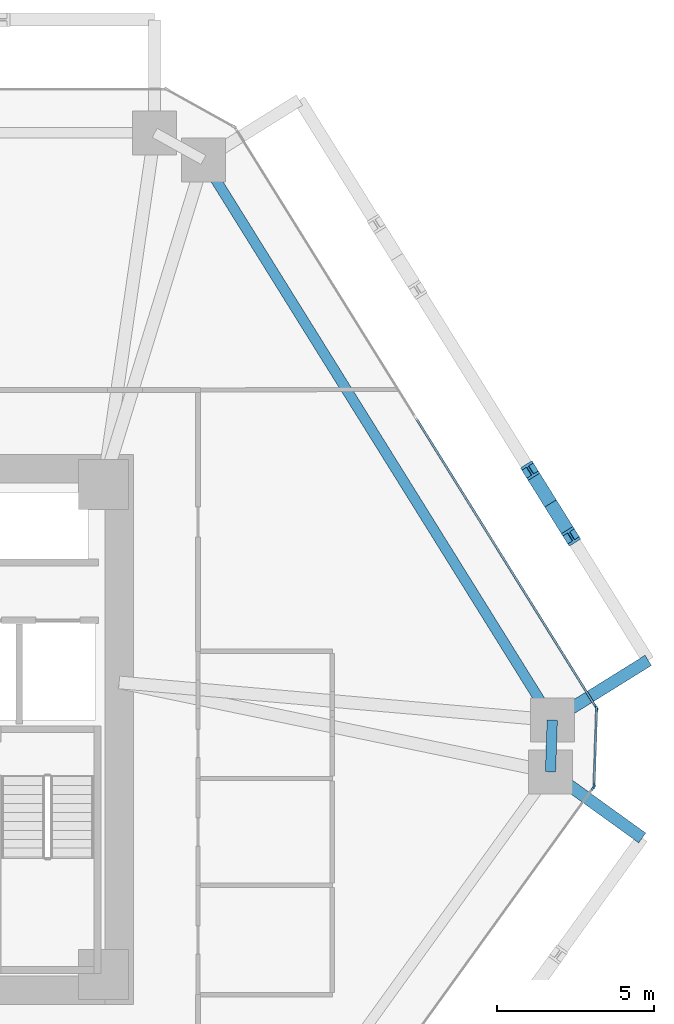
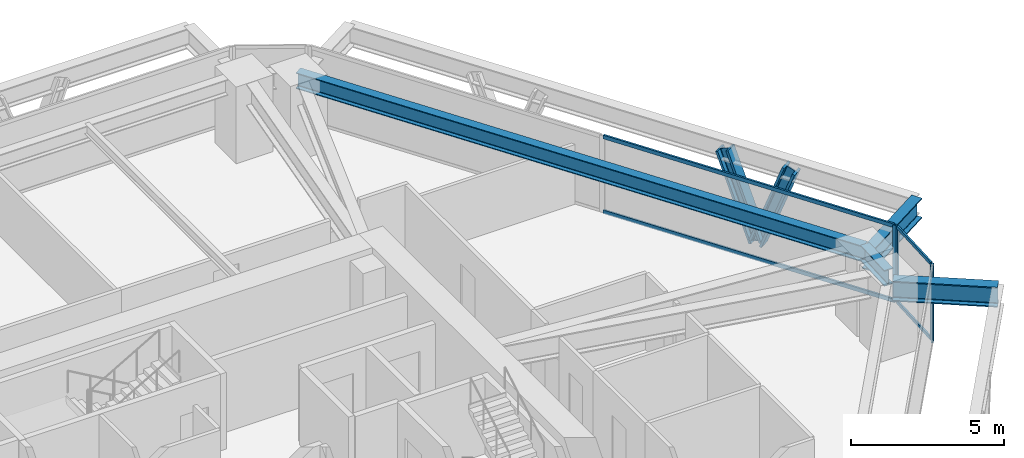
# One storey, part 6 of 14: 10 members, 4 beams, 3 elements without a shape of their own.
"""IFC4 building model written with IfcOpenShell, lengths in metres."""

from ifc_helpers import new_model, si_unit, direction, frame, origin, origin_2d, place, context, subcontext, project, spatial, rectangle, i_section, extrude, source, transform, mapped, material, layer, layer_set, material_profile, profile_set, type_object, type_shapes, element, aggregate, save


model = new_model("IFC4")

# Units and contexts
model_context = context("Model", 3, precision=1e-05, world=origin(), true_north=direction((0.0, 1.0)))
body_context = subcontext(model_context, "Body", "Model", "MODEL_VIEW")
ifc_project = project(units=[si_unit("LENGTHUNIT", "METRE"), si_unit("AREAUNIT", "SQUARE_METRE"), si_unit("VOLUMEUNIT", "CUBIC_METRE"), si_unit("PLANEANGLEUNIT", "RADIAN"), si_unit("MASSUNIT", "GRAM", prefix="KILO")], contexts=[model_context])

# Site, building, storey
site_placement = place(None, origin())
site = spatial("IfcSite", under=ifc_project, at=site_placement, CompositionType="ELEMENT")
building_placement = place(site_placement, origin())
building = spatial("IfcBuilding", under=site, at=building_placement, Name="Durnholm Broadcast Tower", CompositionType="ELEMENT")
storey_placement = place(building_placement, frame((0.0, 0.0, 48.89990234375)))
storey = spatial("IfcBuildingStorey", under=building, at=storey_placement, Name="L11", CompositionType="ELEMENT", Elevation=48.89990234375)

# Beams
ifc_material_1 = material(Name="Steel ASTM A992 Grade 50", Category="steel")
ifc_material_profile_1 = material_profile(ifc_material_1, i_section(OverallWidth=0.3291015625, OverallDepth=0.635009765625, WebThickness=0.017822265625, FlangeThickness=0.031005859375, FilletRadius=0.02783203125, at=origin_2d()), Name="W24X162")
ifc_profile_set_1 = profile_set([ifc_material_profile_1], Name="Steel ASTM A992 Grade 50")
beam_type_1 = type_object("IfcBeamType", Name="STL-SP-W24X162", PredefinedType="SPANDREL", material=ifc_profile_set_1)
shared_shape_1 = source(origin(), body_context, "Body", "SweptSolid", [
    extrude(i_section(OverallWidth=0.3291015625, OverallDepth=0.635009765625, WebThickness=0.017822265625, FlangeThickness=0.031005859375, FilletRadius=0.02783203125, at=origin_2d()), origin(), (0.0, 0.0, 1.0), 21.014404296875),
])
beam_1_placement = place(storey_placement, frame((12.982666015625, 18.138427734375, 2.7275390625), z_axis=(0.528595731543, -0.848873696491, 0.0), x_axis=(0.848873696491, 0.528595731543, 0.0)))
element("IfcBeam", 1, at=beam_1_placement, inside=storey, type_object=beam_type_1, Name="L11 perimeter spandrel girder 07", PredefinedType="SPANDREL", context=body_context, shape_type="MappedRepresentation", body=[
    mapped(shared_shape_1, transform((0.0, 0.0, 0.0), x_axis=(1.0, 0.0, 0.0), y_axis=(0.0, 1.0, 0.0), z_axis=(0.0, 0.0, 1.0), scale=1.0)),
])
shared_shape_2 = source(origin(), body_context, "Body", "SweptSolid", [
    extrude(i_section(OverallWidth=0.3291015625, OverallDepth=0.635009765625, WebThickness=0.017822265625, FlangeThickness=0.031005859375, FilletRadius=0.02783203125, at=origin_2d()), origin(), (0.0, 0.0, 1.0), 1.648193359375),
])
type_shapes(beam_type_1, [shared_shape_1, shared_shape_2])
beam_2_placement = place(storey_placement, frame((24.0908203125, 0.2998046875, 2.7275390625), z_axis=(-0.033921477804, -0.999424501072, 0.0), x_axis=(0.999424501072, -0.033921477804, 0.0)))
element("IfcBeam", 2, at=beam_2_placement, inside=storey, type_object=beam_type_1, Name="L11 perimeter spandrel girder 08", PredefinedType="SPANDREL", context=body_context, shape_type="MappedRepresentation", body=[
    mapped(shared_shape_2, transform((0.0, 0.0, 0.0), x_axis=(1.0, 0.0, 0.0), y_axis=(0.0, 1.0, 0.0), z_axis=(0.0, 0.0, 1.0), scale=1.0)),
])
ifc_material_profile_2 = material_profile(ifc_material_1, i_section(OverallWidth=0.385009765625, OverallDepth=0.802978515625, WebThickness=0.023681640625, FlangeThickness=0.0419921875, FilletRadius=0.032958984375, at=origin_2d()), Name="W30X261")
ifc_profile_set_2 = profile_set([ifc_material_profile_2], Name="Steel ASTM A992 Grade 50")
beam_type_2 = type_object("IfcBeamType", Name="BM-EXO-TIE", PredefinedType="USERDEFINED", material=ifc_profile_set_2)
shared_shape_3 = source(origin(), body_context, "Body", "SweptSolid", [
    extrude(i_section(OverallWidth=0.385009765625, OverallDepth=0.802978515625, WebThickness=0.023681640625, FlangeThickness=0.0419921875, FilletRadius=0.032958984375, at=origin_2d()), origin(), (0.0, 0.0, 1.0), 3.4560546875),
])
beam_3_placement = place(storey_placement, frame((24.212890625, 0.375732421875, 2.30859375), z_axis=(0.848874183218, 0.528594949906, 0.0), x_axis=(-0.528594949906, 0.848874183218, 0.0)))
element("IfcBeam", 3, at=beam_3_placement, inside=storey, type_object=beam_type_2, Name="L11 exoskeleton stand-off tie bracket F3.1", ObjectType="GIRDER", PredefinedType="USERDEFINED", context=body_context, shape_type="MappedRepresentation", body=[
    mapped(shared_shape_3, transform((0.0, 0.0, 0.0), x_axis=(1.0, 0.0, 0.0), y_axis=(0.0, 1.0, 0.0), z_axis=(0.0, 0.0, 1.0), scale=1.0)),
])
shared_shape_4 = source(origin(), body_context, "Body", "SweptSolid", [
    extrude(i_section(OverallWidth=0.385009765625, OverallDepth=0.802978515625, WebThickness=0.023681640625, FlangeThickness=0.0419921875, FilletRadius=0.032958984375, at=origin_2d()), origin(), (0.0, 0.0, 1.0), 3.455810546875),
])
type_shapes(beam_type_2, [shared_shape_3, shared_shape_4])
beam_4_placement = place(storey_placement, frame((24.15185546875, -1.431396484375, 2.30859375), z_axis=(0.811133512552, -0.584861030344, 0.0), x_axis=(0.584861030344, 0.811133512552, 0.0)))
element("IfcBeam", 4, at=beam_4_placement, inside=storey, type_object=beam_type_2, Name="L11 exoskeleton stand-off tie bracket F2.2", ObjectType="GIRDER", PredefinedType="USERDEFINED", context=body_context, shape_type="MappedRepresentation", body=[
    mapped(shared_shape_4, transform((0.0, 0.0, 0.0), x_axis=(1.0, 0.0, 0.0), y_axis=(0.0, 1.0, 0.0), z_axis=(0.0, 0.0, 1.0), scale=1.0)),
])

# Members
ifc_material_2 = material(Name="Steel ASTM A913 Grade 65", Category="steel")
ifc_material_profile_3 = material_profile(ifc_material_2, i_section(OverallWidth=0.43212890625, OverallDepth=0.497802734375, WebThickness=0.0556640625, FlangeThickness=0.0888671875, FilletRadius=0.030517578125, at=origin_2d()), Name="W14X500")
ifc_profile_set_3 = profile_set([ifc_material_profile_3], Name="Steel ASTM A913 Grade 65")
member_type_1 = type_object("IfcMemberType", Name="STL-DG-W14X500", PredefinedType="BRACE", material=ifc_profile_set_3)
shared_shape_5 = source(origin(), body_context, "Body", "SweptSolid", [
    extrude(i_section(OverallWidth=0.43212890625, OverallDepth=0.497802734375, WebThickness=0.0556640625, FlangeThickness=0.0888671875, FilletRadius=0.030517578125, at=origin_2d()), origin(), (0.0, 0.0, 1.0), 3.523193359375),
])
type_shapes(member_type_1, [shared_shape_5])
for number, where, z_axis, x_axis, name in (
    (5, (24.036376953125, 7.197509765625, -0.991455078125), (0.185157304084, -0.297277258428, 0.936665897941), (0.848819847179, 0.528682198523, 0.0), "L11 stand-off diagrid brace F3.D1.1"),
    (6, (24.036376953125, 7.197509765625, -0.991455078125), (-0.185090383068, 0.297281072018, 0.936677913861), (-0.848908635391, -0.528539618911, 0.0), "L11 stand-off diagrid brace F3.D1.2"),
):
    element("IfcMember", number, at=place(storey_placement, frame(where, z_axis=z_axis, x_axis=x_axis)), inside=storey, type_object=member_type_1, Name=name, PredefinedType="BRACE", context=body_context, shape_type="MappedRepresentation", body=[
        mapped(shared_shape_5, transform((0.0, 0.0, 0.0), x_axis=(1.0, 0.0, 0.0), y_axis=(0.0, 1.0, 0.0), z_axis=(0.0, 0.0, 1.0), scale=1.0)),
    ])

# Curtain wall, members
ifc_material_3 = material(Name="Aluminium and Solar Control IGU", Category="aluminium")
ifc_layer_1 = layer(ifc_material_3, 0.1650390625)
ifc_layer_set_1 = layer_set([ifc_layer_1], Name="Aluminium and Solar Control IGU")
curtain_wall_type_1 = type_object("IfcCurtainWallType", Name="CW-SYS-5", PredefinedType="NOTDEFINED", material=ifc_layer_set_1)
curtain_wall_1_placement = place(storey_placement, origin())
curtain_wall_1 = element("IfcCurtainWall", 7, at=curtain_wall_1_placement, inside=storey, type_object=curtain_wall_type_1, Name="L11 curtain wall CW-CORNER CW-L11-CRN-07", PredefinedType="NOTDEFINED")
ifc_material_4 = material(Name="Aluminium 6063-T6", Category="aluminium")
ifc_material_profile_4 = material_profile(ifc_material_4, rectangle(XDim=0.06494140625, YDim=0.1650390625, at=origin_2d()), Name="CWM65X165")
ifc_profile_set_4 = profile_set([ifc_material_profile_4], Name="Aluminium 6063-T6")
member_type_2 = type_object("IfcMemberType", Name="CW-SYS-5-MUL", PredefinedType="MULLION", material=ifc_profile_set_4)
shared_shape_6 = source(origin(), body_context, "Body", "SweptSolid", [
    extrude(rectangle(XDim=0.06494140625, YDim=0.1650390625, at=origin_2d()), origin(), (0.0, 0.0, 1.0), 3.06005859375),
])
type_shapes(member_type_2, [shared_shape_6])
member_1_placement = place(storey_placement, frame((25.50341796875, 0.6455078125, 0.0), z_axis=(0.0, 0.0, 1.0), x_axis=(0.999427277772, -0.033839569233, 0.0)))
member_1 = element("IfcMember", 8, at=member_1_placement, type_object=member_type_2, Name="CW-CORNER mullion 1", PredefinedType="MULLION", context=body_context, shape_type="MappedRepresentation", body=[
    mapped(shared_shape_6, transform((0.0, 0.0, 0.0), x_axis=(1.0, 0.0, 0.0), y_axis=(0.0, 1.0, 0.0), z_axis=(0.0, 0.0, 1.0), scale=1.0)),
])
member_2_placement = place(storey_placement, frame((25.4208984375, -1.7880859375, 0.0), z_axis=(0.0, 0.0, 1.0), x_axis=(0.999427277772, -0.033839569233, 0.0)))
member_2 = element("IfcMember", 9, at=member_2_placement, type_object=member_type_2, Name="CW-CORNER mullion 2", PredefinedType="MULLION", context=body_context, shape_type="MappedRepresentation", body=[
    mapped(shared_shape_6, transform((0.0, 0.0, 0.0), x_axis=(1.0, 0.0, 0.0), y_axis=(0.0, 1.0, 0.0), z_axis=(0.0, 0.0, 1.0), scale=1.0)),
])
ifc_material_profile_5 = material_profile(ifc_material_4, rectangle(XDim=0.06494140625, YDim=0.1298828125, at=origin_2d()), Name="CWT65X130")
ifc_profile_set_5 = profile_set([ifc_material_profile_5], Name="Aluminium 6063-T6")
member_type_3 = type_object("IfcMemberType", Name="CW-SYS-5-TRN", PredefinedType="USERDEFINED", material=ifc_profile_set_5)
shared_shape_7 = source(origin(), body_context, "Body", "SweptSolid", [
    extrude(rectangle(XDim=0.06494140625, YDim=0.1298828125, at=origin_2d()), origin(), (0.0, 0.0, 1.0), 2.3701171875),
])
type_shapes(member_type_3, [shared_shape_7])
member_3_placement = place(storey_placement, frame((25.502197265625, 0.613037109375, 0.03271484375), z_axis=(-0.033788158898, -0.999429017148, 0.0), x_axis=(0.999429017148, -0.033788158898, 0.0)))
member_3 = element("IfcMember", 10, at=member_3_placement, type_object=member_type_3, Name="CW-CORNER transom 1.1", ObjectType="TRANSOM", PredefinedType="USERDEFINED", context=body_context, shape_type="MappedRepresentation", body=[
    mapped(shared_shape_7, transform((0.0, 0.0, 0.0), x_axis=(1.0, 0.0, 0.0), y_axis=(0.0, 1.0, 0.0), z_axis=(0.0, 0.0, 1.0), scale=1.0)),
])
member_4_placement = place(storey_placement, frame((25.502197265625, 0.613037109375, 3.027587890625), z_axis=(-0.033788158898, -0.999429017148, 0.0), x_axis=(0.999429017148, -0.033788158898, 0.0)))
member_4 = element("IfcMember", 11, at=member_4_placement, type_object=member_type_3, Name="CW-CORNER transom 1.2", ObjectType="TRANSOM", PredefinedType="USERDEFINED", context=body_context, shape_type="MappedRepresentation", body=[
    mapped(shared_shape_7, transform((0.0, 0.0, 0.0), x_axis=(1.0, 0.0, 0.0), y_axis=(0.0, 1.0, 0.0), z_axis=(0.0, 0.0, 1.0), scale=1.0)),
])
aggregate(curtain_wall_1, [member_1, member_2, member_3, member_4])

# Curtain wall, member
ifc_layer_2 = layer(ifc_material_3, 0.18994140625)
ifc_layer_set_2 = layer_set([ifc_layer_2], Name="Aluminium and Solar Control IGU")
curtain_wall_type_2 = type_object("IfcCurtainWallType", Name="CW-SYS-3", PredefinedType="NOTDEFINED", material=ifc_layer_set_2)
curtain_wall_2_placement = place(storey_placement, origin())
curtain_wall_2 = element("IfcCurtainWall", 12, at=curtain_wall_2_placement, inside=storey, type_object=curtain_wall_type_2, Name="L11 curtain wall CW-Z12-VIS CW-L11-F06", PredefinedType="NOTDEFINED")
ifc_material_profile_6 = material_profile(ifc_material_4, rectangle(XDim=0.070068359375, YDim=0.18994140625, at=origin_2d()), Name="CWM70X190")
ifc_profile_set_6 = profile_set([ifc_material_profile_6], Name="Aluminium 6063-T6")
member_type_4 = type_object("IfcMemberType", Name="CW-SYS-3-MUL", PredefinedType="MULLION", material=ifc_profile_set_6)
shared_shape_8 = source(origin(), body_context, "Body", "SweptSolid", [
    extrude(rectangle(XDim=0.070068359375, YDim=0.18994140625, at=origin_2d()), origin(), (0.0, 0.0, 1.0), 3.06005859375),
])
type_shapes(member_type_4, [shared_shape_8])
member_5_placement = place(storey_placement, frame((25.48583984375, 0.707763671875, 0.0), z_axis=(0.0, 0.0, 1.0), x_axis=(0.848875785503, 0.528592376777, 0.0)))
member_5 = element("IfcMember", 13, at=member_5_placement, type_object=member_type_4, Name="CW-Z12-VIS mullion 3", PredefinedType="MULLION", context=body_context, shape_type="MappedRepresentation", body=[
    mapped(shared_shape_8, transform((0.0, 0.0, 0.0), x_axis=(1.0, 0.0, 0.0), y_axis=(0.0, 1.0, 0.0), z_axis=(0.0, 0.0, 1.0), scale=1.0)),
])

curtain_wall_3_placement = place(storey_placement, origin())
curtain_wall_3 = element("IfcCurtainWall", 14, at=curtain_wall_3_placement, inside=storey, type_object=curtain_wall_type_2, Name="L11 curtain wall CW-Z12-VIS CW-L11-F08", PredefinedType="NOTDEFINED")
member_6_placement = place(storey_placement, frame((25.3994140625, -1.848876953125, 0.0), z_axis=(0.0, 0.0, 1.0), x_axis=(0.81116057493, -0.584823496176, 0.0)))
member_6 = element("IfcMember", 15, at=member_6_placement, type_object=member_type_4, Name="CW-Z12-VIS mullion 1", PredefinedType="MULLION", context=body_context, shape_type="MappedRepresentation", body=[
    mapped(shared_shape_8, transform((0.0, 0.0, 0.0), x_axis=(1.0, 0.0, 0.0), y_axis=(0.0, 1.0, 0.0), z_axis=(0.0, 0.0, 1.0), scale=1.0)),
])
aggregate(curtain_wall_3, [member_6])

# Member
ifc_material_profile_7 = material_profile(ifc_material_4, rectangle(XDim=0.070068359375, YDim=0.14990234375, at=origin_2d()), Name="CWT70X150")
ifc_profile_set_7 = profile_set([ifc_material_profile_7], Name="Aluminium 6063-T6")
member_type_5 = type_object("IfcMemberType", Name="CW-SYS-3-TRN", PredefinedType="USERDEFINED", material=ifc_profile_set_7)
shared_shape_9 = source(origin(), body_context, "Body", "SweptSolid", [
    extrude(rectangle(XDim=0.070068359375, YDim=0.14990234375, at=origin_2d()), origin(), (0.0, 0.0, 1.0), 10.796630859375),
])
type_shapes(member_type_5, [shared_shape_9])
member_7_placement = place(storey_placement, frame((19.760498046875, 9.902587890625, 0.03515625), z_axis=(0.528575362968, -0.848886379714, 0.0), x_axis=(0.848886379714, 0.528575362968, 0.0)))
member_7 = element("IfcMember", 16, at=member_7_placement, type_object=member_type_5, Name="CW-Z12-VIS transom 2.1", ObjectType="TRANSOM", PredefinedType="USERDEFINED", context=body_context, shape_type="MappedRepresentation", body=[
    mapped(shared_shape_9, transform((0.0, 0.0, 0.0), x_axis=(1.0, 0.0, 0.0), y_axis=(0.0, 1.0, 0.0), z_axis=(0.0, 0.0, 1.0), scale=1.0)),
])

member_8_placement = place(storey_placement, frame((19.760498046875, 9.902587890625, 3.025146484375), z_axis=(0.528575362968, -0.848886379714, 0.0), x_axis=(0.848886379714, 0.528575362968, 0.0)))
member_8 = element("IfcMember", 17, at=member_8_placement, type_object=member_type_5, Name="CW-Z12-VIS transom 2.2", ObjectType="TRANSOM", PredefinedType="USERDEFINED", context=body_context, shape_type="MappedRepresentation", body=[
    mapped(shared_shape_9, transform((0.0, 0.0, 0.0), x_axis=(1.0, 0.0, 0.0), y_axis=(0.0, 1.0, 0.0), z_axis=(0.0, 0.0, 1.0), scale=1.0)),
])

aggregate(curtain_wall_2, [member_5, member_7, member_8])

save(model, "model.ifc")
